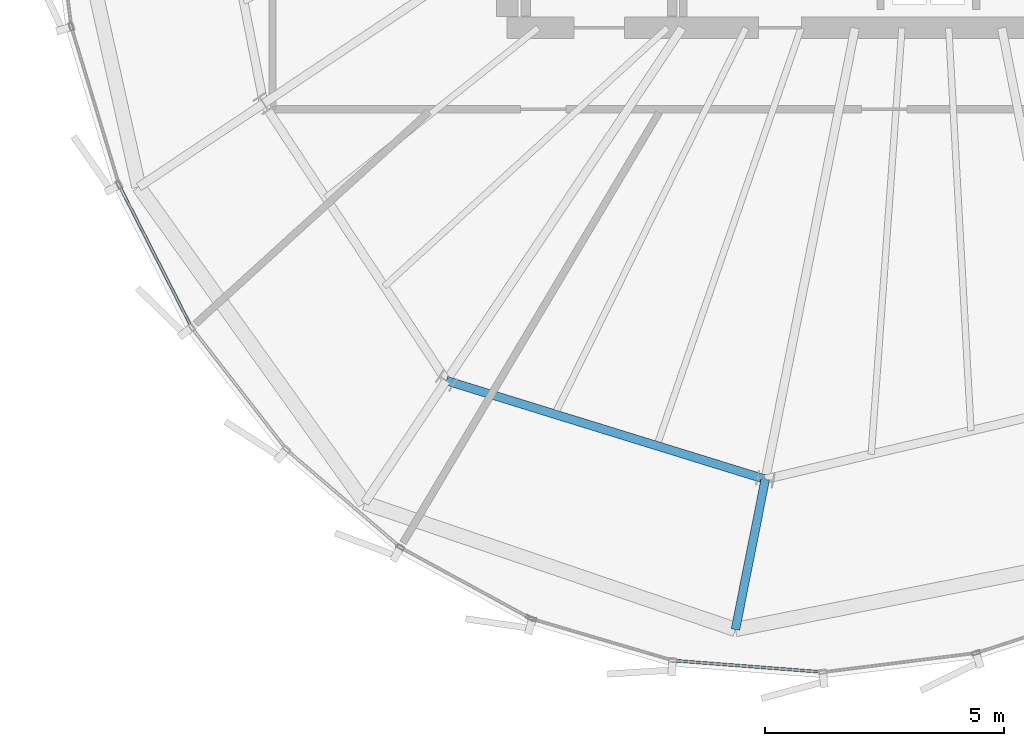
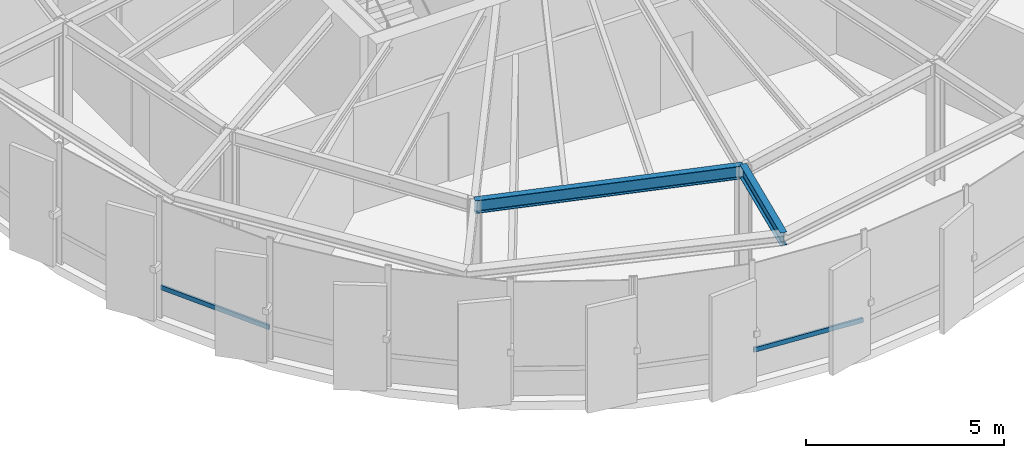
# One storey, part 3 of 25: 2 beams, 2 members, 2 elements without a shape of their own.
"""IFC4 building model written with IfcOpenShell, lengths in metres."""

from ifc_helpers import new_model, si_unit, direction, frame, origin, origin_2d, place, context, subcontext, project, spatial, hollow_rectangle, i_section, extrude, source, transform, mapped, material, layer, layer_set, material_profile, profile_set, type_object, element, aggregate, save


model = new_model("IFC4")

# Units and contexts
model_context = context("Model", 3, precision=1e-05, world=origin(), true_north=direction((0.0, 1.0)))
body_context = subcontext(model_context, "Body", "Model", "MODEL_VIEW")
ifc_project = project(units=[si_unit("LENGTHUNIT", "METRE"), si_unit("AREAUNIT", "SQUARE_METRE"), si_unit("VOLUMEUNIT", "CUBIC_METRE"), si_unit("PLANEANGLEUNIT", "RADIAN"), si_unit("MASSUNIT", "GRAM", prefix="KILO"), si_unit("THERMODYNAMICTEMPERATUREUNIT", "KELVIN")], contexts=[model_context])

# Site, building, storey
site_placement = place(None, origin())
site = spatial("IfcSite", under=ifc_project, at=site_placement, CompositionType="ELEMENT")
building_placement = place(site_placement, origin())
building = spatial("IfcBuilding", under=site, at=building_placement, Name="Kethvar Cultural Tower", CompositionType="ELEMENT")
storey_placement = place(building_placement, frame((0.0, 0.0, 304.300048828125)))
storey = spatial("IfcBuildingStorey", under=building, at=storey_placement, Name="L81", CompositionType="ELEMENT", Elevation=304.300048828125)

# Beams
ifc_material_1 = material(Name="Steel S355J2", Category="steel")
ifc_material_profile_1 = material_profile(ifc_material_1, i_section(OverallWidth=0.179931640625, OverallDepth=0.39990234375, WebThickness=0.008544921875, FlangeThickness=0.013427734375, FilletRadius=0.02099609375, at=origin_2d()), Name="Steel S355J2 — IPE400")
ifc_profile_set_1 = profile_set([ifc_material_profile_1], Name="Steel S355J2 — IPE400")
beam_type = type_object("IfcBeamType", Name="BM-IPE400", PredefinedType="BEAM", material=ifc_profile_set_1)
shared_shape_1 = source(origin(), body_context, "Body", "SweptSolid", [
    extrude(i_section(OverallWidth=0.179931640625, OverallDepth=0.39990234375, WebThickness=0.008544921875, FlangeThickness=0.013427734375, FilletRadius=0.02099609375, at=origin_2d()), origin(), (0.0, 0.0, 1.0), 3.2001953125),
])
beam_1_placement = place(storey_placement, frame((43.392822265625, 10.67138671875, 3.532958984375), z_axis=(-0.195074368086, -0.980788453702, 0.0), x_axis=(0.980788453702, -0.195074368086, 0.0)))
element("IfcBeam", 1, at=beam_1_placement, inside=storey, type_object=beam_type, Name="L81 Perimeter Cantilever Beam RC-12", PredefinedType="BEAM", context=body_context, shape_type="MappedRepresentation", body=[
    mapped(shared_shape_1, transform((0.0, 0.0, 0.0), scale=1.0)),
])
shared_shape_2 = source(origin(), body_context, "Body", "SweptSolid", [
    extrude(i_section(OverallWidth=0.179931640625, OverallDepth=0.39990234375, WebThickness=0.008544921875, FlangeThickness=0.013427734375, FilletRadius=0.02099609375, at=origin_2d()), origin(), (0.0, 0.0, 1.0), 6.97265625),
])
beam_2_placement = place(storey_placement, frame((36.731201171875, 12.73095703125, 3.532958984375), z_axis=(0.955381444404, -0.295374839295, 0.0), x_axis=(0.295374839295, 0.955381444404, 0.0)))
element("IfcBeam", 2, at=beam_2_placement, inside=storey, type_object=beam_type, Name="L81 Column Ring Tie Beam CR-11", PredefinedType="BEAM", context=body_context, shape_type="MappedRepresentation", body=[
    mapped(shared_shape_2, transform((0.0, 0.0, 0.0), scale=1.0)),
])

# Curtain wall, member
ifc_material_2 = material(Name="Aluminium 6063-T6", Category="aluminium")
ifc_layer = layer(ifc_material_2, 0.179931640625, Name="Aluminium 6063-T6", Category="aluminium")
ifc_layer_set = layer_set([ifc_layer], Name="Aluminium 6063-T6 (180 mm)")
curtain_wall_type = type_object("IfcCurtainWallType", Name="CW-SYS-06-CROWN", PredefinedType="NOTDEFINED", material=ifc_layer_set)
curtain_wall_1_placement = place(storey_placement, origin())
curtain_wall_1 = element("IfcCurtainWall", 3, at=curtain_wall_1_placement, inside=storey, type_object=curtain_wall_type, Name="L81 Curtain Wall Run 03", PredefinedType="NOTDEFINED")
ifc_material_profile_2 = material_profile(ifc_material_2, hollow_rectangle(XDim=0.06005859375, YDim=0.139892578125, WallThickness=0.0048828125, at=origin_2d()), Name="Aluminium 6063-T6 — RHS140x60x5")
ifc_profile_set_2 = profile_set([ifc_material_profile_2], Name="Aluminium 6063-T6 — RHS140x60x5")
member_type = type_object("IfcMemberType", Name="CW-SYS-06-CROWN-TRN", PredefinedType="USERDEFINED", material=ifc_profile_set_2)
shared_shape_3 = source(origin(), body_context, "Body", "SweptSolid", [
    extrude(hollow_rectangle(XDim=0.06005859375, YDim=0.139892578125, WallThickness=0.0048828125, at=origin_2d()), origin(), (0.0, 0.0, 1.0), 3.26416015625),
])
member_1_placement = place(storey_placement, frame((29.914794921875, 16.773681640625, 0.949951171875), z_axis=(0.453932504101, -0.891036072065, 0.0), x_axis=(0.891036072065, 0.453932504101, 0.0)))
member_1 = element("IfcMember", 4, at=member_1_placement, type_object=member_type, Name="CW-L81-R03 Transom 3", ObjectType="TRANSOM", PredefinedType="USERDEFINED", context=body_context, shape_type="MappedRepresentation", body=[
    mapped(shared_shape_3, transform((0.0, 0.0, 0.0), scale=1.0)),
])
aggregate(curtain_wall_1, [member_1])

curtain_wall_2_placement = place(storey_placement, origin())
curtain_wall_2 = element("IfcCurtainWall", 5, at=curtain_wall_2_placement, inside=storey, type_object=curtain_wall_type, Name="L81 Curtain Wall Run 04", PredefinedType="NOTDEFINED")
shared_shape_4 = source(origin(), body_context, "Body", "SweptSolid", [
    extrude(hollow_rectangle(XDim=0.06005859375, YDim=0.139892578125, WallThickness=0.0048828125, at=origin_2d()), origin(), (0.0, 0.0, 1.0), 3.07373046875),
])
member_2_placement = place(storey_placement, frame((41.504150390625, 6.881591796875, 0.949951171875), z_axis=(0.997052148939, -0.076726868149, 0.0), x_axis=(0.076726868149, 0.997052148939, 0.0)))
member_2 = element("IfcMember", 6, at=member_2_placement, type_object=member_type, Name="CW-L81-R04 Transom 2", ObjectType="TRANSOM", PredefinedType="USERDEFINED", context=body_context, shape_type="MappedRepresentation", body=[
    mapped(shared_shape_4, transform((0.0, 0.0, 0.0), scale=1.0)),
])
aggregate(curtain_wall_2, [member_2])

save(model, "model.ifc")
